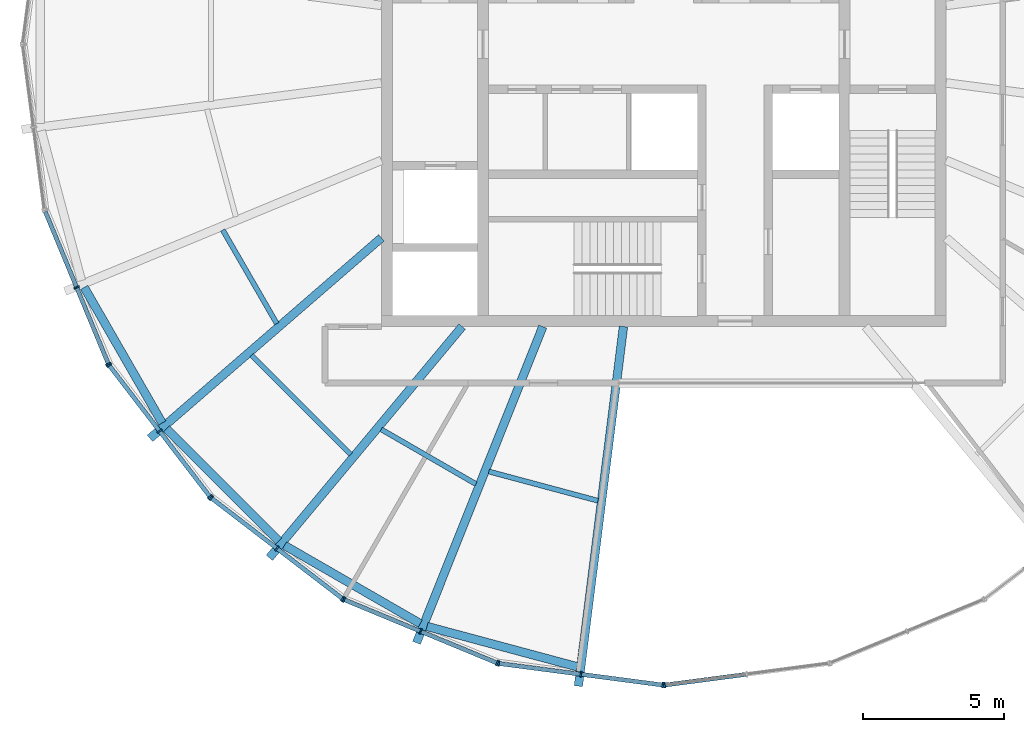
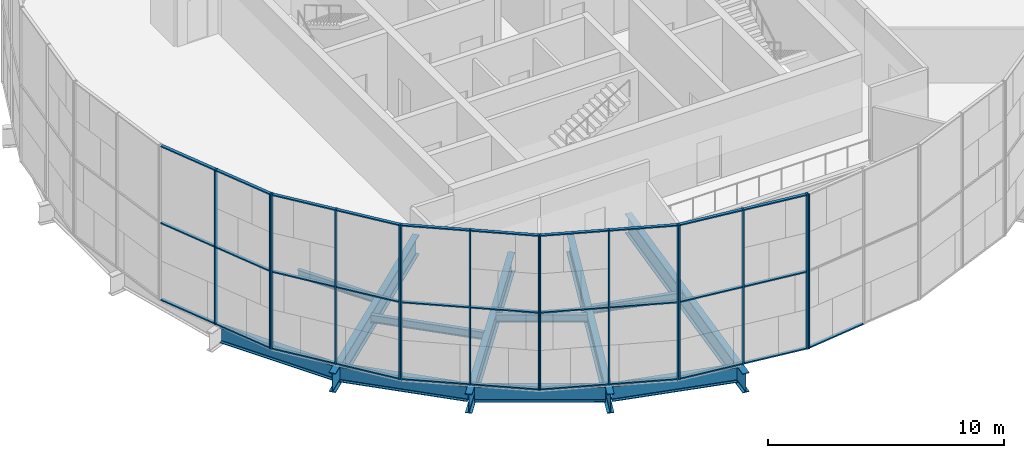
# One storey, part 1 of 19: 46 members, 12 beams, 6 elements without a shape of their own.
"""IFC4 building model written with IfcOpenShell, lengths in metres."""

from ifc_helpers import new_model, si_unit, direction, frame, origin, origin_2d, place, context, subcontext, project, spatial, rectangle, i_section, extrude, material, material_profile, profile_set, type_object, element, aggregate, save


model = new_model("IFC4")

# Units and contexts
model_context = context("Model", 3, precision=1e-05, world=origin(), true_north=direction((0.0, 1.0)))
body_context = subcontext(model_context, "Body", "Model", "MODEL_VIEW")
ifc_project = project(units=[si_unit("LENGTHUNIT", "METRE"), si_unit("AREAUNIT", "SQUARE_METRE"), si_unit("VOLUMEUNIT", "CUBIC_METRE"), si_unit("PLANEANGLEUNIT", "RADIAN"), si_unit("MASSUNIT", "GRAM", prefix="KILO")], contexts=[model_context])

# Site, building, storey
site_placement = place(None, origin())
site = spatial("IfcSite", under=ifc_project, at=site_placement, CompositionType="ELEMENT")
building_placement = place(site_placement, origin())
building = spatial("IfcBuilding", under=site, at=building_placement, Name="Golbaran Civic Tower", CompositionType="ELEMENT")
storey_placement = place(building_placement, frame((0.0, 0.0, 240.0)))
storey = spatial("IfcBuildingStorey", under=building, at=storey_placement, Name="L58", CompositionType="ELEMENT", Elevation=240.0)

# Beams
ifc_material_1 = material(Name="Steel S355", Category="steel")
ifc_material_profile_1 = material_profile(ifc_material_1, i_section(OverallWidth=0.300048828125, OverallDepth=0.800048828125, WebThickness=0.017578125, FlangeThickness=0.032958984375, FilletRadius=0.030029296875, at=origin_2d()), Name="HEB 800")
ifc_profile_set_1 = profile_set([ifc_material_profile_1], Name="Steel S355")
beam_type_1 = type_object("IfcBeamType", Name="EDGE BEAM HEB 800", PredefinedType="BEAM", material=ifc_profile_set_1)
beam_1_placement = place(storey_placement, frame((-20.525390625, -8.6123046875, -0.60009765625), z_axis=(0.498624327536, -0.866818193158, 0.0), x_axis=(0.866818193158, 0.498624327536, 0.0)))
element("IfcBeam", 1, at=beam_1_placement, inside=storey, type_object=beam_type_1, Name="Edge beam 202.43 L58", PredefinedType="BEAM", context=body_context, shape_type="SweptSolid", body=[
    extrude(i_section(OverallWidth=0.300048828125, OverallDepth=0.800048828125, WebThickness=0.017578125, FlangeThickness=0.032958984375, FilletRadius=0.030029296875, at=origin_2d()), origin(), (0.0, 0.0, 1.0), 5.53857421875),
])
beam_2_placement = place(storey_placement, frame((-17.60546875, -13.620361328125, -0.60009765625), z_axis=(0.706758752811, -0.707454638352, 0.0), x_axis=(0.707454638352, 0.706758752811, 0.0)))
element("IfcBeam", 2, at=beam_2_placement, inside=storey, type_object=beam_type_1, Name="Edge beam 217.57 L58", PredefinedType="BEAM", context=body_context, shape_type="SweptSolid", body=[
    extrude(i_section(OverallWidth=0.300048828125, OverallDepth=0.800048828125, WebThickness=0.017578125, FlangeThickness=0.032958984375, FilletRadius=0.030029296875, at=origin_2d()), origin(), (0.0, 0.0, 1.0), 5.61328125),
])
beam_3_placement = place(storey_placement, frame((-13.431640625, -17.749755859375, -0.60009765625), z_axis=(0.866378969457, -0.499387105642, 0.0), x_axis=(0.499387105642, 0.866378969457, 0.0)))
element("IfcBeam", 3, at=beam_3_placement, inside=storey, type_object=beam_type_1, Name="Edge beam 232.43 L58", PredefinedType="BEAM", context=body_context, shape_type="SweptSolid", body=[
    extrude(i_section(OverallWidth=0.300048828125, OverallDepth=0.800048828125, WebThickness=0.017578125, FlangeThickness=0.032958984375, FilletRadius=0.030029296875, at=origin_2d()), origin(), (0.0, 0.0, 1.0), 5.546875),
])
beam_4_placement = place(storey_placement, frame((-8.3857421875, -20.619140625, -0.60009765625), z_axis=(0.965791107787, -0.259321299009, 0.0), x_axis=(0.259321299009, 0.965791107787, 0.0)))
element("IfcBeam", 4, at=beam_4_placement, inside=storey, type_object=beam_type_1, Name="Edge beam 247.57 L58", PredefinedType="BEAM", context=body_context, shape_type="SweptSolid", body=[
    extrude(i_section(OverallWidth=0.300048828125, OverallDepth=0.800048828125, WebThickness=0.017578125, FlangeThickness=0.032958984375, FilletRadius=0.030029296875, at=origin_2d()), origin(), (0.0, 0.0, 1.0), 5.504638671875),
])
ifc_material_profile_2 = material_profile(ifc_material_1, i_section(OverallWidth=0.179931640625, OverallDepth=0.39990234375, WebThickness=0.008544921875, FlangeThickness=0.013427734375, FilletRadius=0.02099609375, at=origin_2d()), Name="IPE 400")
ifc_profile_set_2 = profile_set([ifc_material_profile_2], Name="Steel S355")
beam_type_2 = type_object("IfcBeamType", Name="FLOOR INFILL BEAM IPE 400", PredefinedType="BEAM", material=ifc_profile_set_2)
beam_5_placement = place(storey_placement, frame((-15.61865234375, -6.5810546875, -0.39990234375), z_axis=(0.500015088172, -0.866016692449, 0.0), x_axis=(0.866016692449, 0.500015088172, 0.0)))
element("IfcBeam", 5, at=beam_5_placement, inside=storey, type_object=beam_type_2, Name="Infill beam 210.00 L58", PredefinedType="BEAM", context=body_context, shape_type="SweptSolid", body=[
    extrude(i_section(OverallWidth=0.179931640625, OverallDepth=0.39990234375, WebThickness=0.008544921875, FlangeThickness=0.013427734375, FilletRadius=0.02099609375, at=origin_2d()), origin(), (0.0, 0.0, 1.0), 3.82763671875),
])
beam_6_placement = place(storey_placement, frame((-14.59912109375, -11.014892578125, -0.39990234375), z_axis=(0.70713134758, -0.70708221394, 0.0), x_axis=(0.70708221394, 0.70713134758, 0.0)))
element("IfcBeam", 6, at=beam_6_placement, inside=storey, type_object=beam_type_2, Name="Infill beam 225.00 L58", PredefinedType="BEAM", context=body_context, shape_type="SweptSolid", body=[
    extrude(i_section(OverallWidth=0.179931640625, OverallDepth=0.39990234375, WebThickness=0.008544921875, FlangeThickness=0.013427734375, FilletRadius=0.02099609375, at=origin_2d()), origin(), (0.0, 0.0, 1.0), 4.968994140625),
])
beam_7_placement = place(storey_placement, frame((-10.007080078125, -13.64013671875, -0.39990234375), z_axis=(0.866019745978, -0.500009799479, 0.0), x_axis=(0.500009799479, 0.866019745978, 0.0)))
element("IfcBeam", 7, at=beam_7_placement, inside=storey, type_object=beam_type_2, Name="Infill beam 240.00 L58", PredefinedType="BEAM", context=body_context, shape_type="SweptSolid", body=[
    extrude(i_section(OverallWidth=0.179931640625, OverallDepth=0.39990234375, WebThickness=0.008544921875, FlangeThickness=0.013427734375, FilletRadius=0.02099609375, at=origin_2d()), origin(), (0.0, 0.0, 1.0), 3.87353515625),
])
beam_8_placement = place(storey_placement, frame((-6.195068359375, -15.1328125, -0.39990234375), z_axis=(0.965929247855, -0.258806275308, 0.0), x_axis=(0.258806275308, 0.965929247855, 0.0)))
element("IfcBeam", 8, at=beam_8_placement, inside=storey, type_object=beam_type_2, Name="Infill beam 255.00 L58", PredefinedType="BEAM", context=body_context, shape_type="SweptSolid", body=[
    extrude(i_section(OverallWidth=0.179931640625, OverallDepth=0.39990234375, WebThickness=0.008544921875, FlangeThickness=0.013427734375, FilletRadius=0.02099609375, at=origin_2d()), origin(), (0.0, 0.0, 1.0), 3.998779296875),
])

# Curtain wall, members
ifc_material_2 = material(Name="Aluminium and glass", Category="aluminium")
curtain_wall_type = type_object("IfcCurtainWallType", Name="INNER SKIN CURTAIN WALL EXECUTIVE", PredefinedType="NOTDEFINED", material=ifc_material_2)
curtain_wall_1_placement = place(storey_placement, origin())
curtain_wall_1 = element("IfcCurtainWall", 9, at=curtain_wall_1_placement, inside=storey, type_object=curtain_wall_type, Name="Inner skin L58 facet 14 CW2", ObjectType="INNER SKIN", PredefinedType="USERDEFINED")
ifc_material_3 = material(Name="Aluminium", Category="aluminium")
ifc_material_profile_3 = material_profile(ifc_material_3, rectangle(XDim=0.199951171875, YDim=0.06005859375, at=origin_2d()), Name="INNER SKIN CURTAIN WALL EXECUTIVE MULLION")
ifc_profile_set_3 = profile_set([ifc_material_profile_3], Name="Aluminium")
member_type_1 = type_object("IfcMemberType", Name="INNER SKIN CURTAIN WALL EXECUTIVE MULLION", PredefinedType="MULLION", material=ifc_profile_set_3)
member_1_placement = place(storey_placement, frame((-20.792724609375, -8.612548828125, 0.0), z_axis=(0.0, 0.0, 1.0), x_axis=(0.923879532498, 0.382683432397, 0.0)))
member_1 = element("IfcMember", 10, at=member_1_placement, type_object=member_type_1, Name="CW2 mullion 2", PredefinedType="MULLION", context=body_context, shape_type="SweptSolid", body=[
    extrude(rectangle(XDim=0.199951171875, YDim=0.06005859375, at=origin_2d()), origin(), (0.0, 0.0, 1.0), 8.0),
])
member_2_placement = place(storey_placement, frame((-19.670166015625, -11.322265625, 0.0), z_axis=(0.0, 0.0, 1.0), x_axis=(0.923879532498, 0.382683432397, 0.0)))
member_2 = element("IfcMember", 11, at=member_2_placement, type_object=member_type_1, Name="CW2 mullion 3", PredefinedType="MULLION", context=body_context, shape_type="SweptSolid", body=[
    extrude(rectangle(XDim=0.199951171875, YDim=0.06005859375, at=origin_2d()), origin(), (0.0, 0.0, 1.0), 8.0),
])

curtain_wall_2_placement = place(storey_placement, origin())
curtain_wall_2 = element("IfcCurtainWall", 12, at=curtain_wall_2_placement, inside=storey, type_object=curtain_wall_type, Name="Inner skin L58 facet 15 CW2", ObjectType="INNER SKIN", PredefinedType="USERDEFINED")
member_3_placement = place(storey_placement, frame((-19.640625, -11.373779296875, 0.0), z_axis=(0.0, 0.0, 1.0), x_axis=(0.793353340291, 0.608761429009, 0.0)))
member_3 = element("IfcMember", 13, at=member_3_placement, type_object=member_type_1, Name="CW2 mullion 1", PredefinedType="MULLION", context=body_context, shape_type="SweptSolid", body=[
    extrude(rectangle(XDim=0.199951171875, YDim=0.06005859375, at=origin_2d()), origin(), (0.0, 0.0, 1.0), 8.0),
])
member_4_placement = place(storey_placement, frame((-17.85498046875, -13.70068359375, 0.0), z_axis=(0.0, 0.0, 1.0), x_axis=(0.793353340291, 0.608761429009, 0.0)))
member_4 = element("IfcMember", 14, at=member_4_placement, type_object=member_type_1, Name="CW2 mullion 2", PredefinedType="MULLION", context=body_context, shape_type="SweptSolid", body=[
    extrude(rectangle(XDim=0.199951171875, YDim=0.06005859375, at=origin_2d()), origin(), (0.0, 0.0, 1.0), 8.0),
])
member_5_placement = place(storey_placement, frame((-16.069580078125, -16.027587890625, 0.0), z_axis=(0.0, 0.0, 1.0), x_axis=(0.793353340291, 0.608761429009, 0.0)))
member_5 = element("IfcMember", 15, at=member_5_placement, type_object=member_type_1, Name="CW2 mullion 3", PredefinedType="MULLION", context=body_context, shape_type="SweptSolid", body=[
    extrude(rectangle(XDim=0.199951171875, YDim=0.06005859375, at=origin_2d()), origin(), (0.0, 0.0, 1.0), 8.0),
])

curtain_wall_3_placement = place(storey_placement, origin())
curtain_wall_3 = element("IfcCurtainWall", 16, at=curtain_wall_3_placement, inside=storey, type_object=curtain_wall_type, Name="Inner skin L58 facet 16 CW2", ObjectType="INNER SKIN", PredefinedType="USERDEFINED")
member_6_placement = place(storey_placement, frame((-16.027587890625, -16.069580078125, 0.0), z_axis=(0.0, 0.0, 1.0), x_axis=(0.608761429009, 0.793353340291, 0.0)))
member_6 = element("IfcMember", 17, at=member_6_placement, type_object=member_type_1, Name="CW2 mullion 1", PredefinedType="MULLION", context=body_context, shape_type="SweptSolid", body=[
    extrude(rectangle(XDim=0.199951171875, YDim=0.06005859375, at=origin_2d()), origin(), (0.0, 0.0, 1.0), 8.0),
])
member_7_placement = place(storey_placement, frame((-13.70068359375, -17.85498046875, 0.0), z_axis=(0.0, 0.0, 1.0), x_axis=(0.608761429009, 0.793353340291, 0.0)))
member_7 = element("IfcMember", 18, at=member_7_placement, type_object=member_type_1, Name="CW2 mullion 2", PredefinedType="MULLION", context=body_context, shape_type="SweptSolid", body=[
    extrude(rectangle(XDim=0.199951171875, YDim=0.06005859375, at=origin_2d()), origin(), (0.0, 0.0, 1.0), 8.0),
])
member_8_placement = place(storey_placement, frame((-11.373779296875, -19.640625, 0.0), z_axis=(0.0, 0.0, 1.0), x_axis=(0.608761429009, 0.793353340291, 0.0)))
member_8 = element("IfcMember", 19, at=member_8_placement, type_object=member_type_1, Name="CW2 mullion 3", PredefinedType="MULLION", context=body_context, shape_type="SweptSolid", body=[
    extrude(rectangle(XDim=0.199951171875, YDim=0.06005859375, at=origin_2d()), origin(), (0.0, 0.0, 1.0), 8.0),
])

curtain_wall_4_placement = place(storey_placement, origin())
curtain_wall_4 = element("IfcCurtainWall", 20, at=curtain_wall_4_placement, inside=storey, type_object=curtain_wall_type, Name="Inner skin L58 facet 17 CW2", ObjectType="INNER SKIN", PredefinedType="USERDEFINED")
member_9_placement = place(storey_placement, frame((-11.322265625, -19.670166015625, 0.0), z_axis=(0.0, 0.0, 1.0), x_axis=(0.382683432397, 0.923879532498, 0.0)))
member_9 = element("IfcMember", 21, at=member_9_placement, type_object=member_type_1, Name="CW2 mullion 1", PredefinedType="MULLION", context=body_context, shape_type="SweptSolid", body=[
    extrude(rectangle(XDim=0.199951171875, YDim=0.06005859375, at=origin_2d()), origin(), (0.0, 0.0, 1.0), 8.0),
])
member_10_placement = place(storey_placement, frame((-8.612548828125, -20.792724609375, 0.0), z_axis=(0.0, 0.0, 1.0), x_axis=(0.382683432397, 0.923879532498, 0.0)))
member_10 = element("IfcMember", 22, at=member_10_placement, type_object=member_type_1, Name="CW2 mullion 2", PredefinedType="MULLION", context=body_context, shape_type="SweptSolid", body=[
    extrude(rectangle(XDim=0.199951171875, YDim=0.06005859375, at=origin_2d()), origin(), (0.0, 0.0, 1.0), 8.0),
])
member_11_placement = place(storey_placement, frame((-5.90283203125, -21.9150390625, 0.0), z_axis=(0.0, 0.0, 1.0), x_axis=(0.382683432397, 0.923879532498, 0.0)))
member_11 = element("IfcMember", 23, at=member_11_placement, type_object=member_type_1, Name="CW2 mullion 3", PredefinedType="MULLION", context=body_context, shape_type="SweptSolid", body=[
    extrude(rectangle(XDim=0.199951171875, YDim=0.06005859375, at=origin_2d()), origin(), (0.0, 0.0, 1.0), 8.0),
])

curtain_wall_5_placement = place(storey_placement, origin())
curtain_wall_5 = element("IfcCurtainWall", 24, at=curtain_wall_5_placement, inside=storey, type_object=curtain_wall_type, Name="Inner skin L58 facet 18 CW2", ObjectType="INNER SKIN", PredefinedType="USERDEFINED")
member_12_placement = place(storey_placement, frame((-5.845458984375, -21.930419921875, 0.0), z_axis=(0.0, 0.0, 1.0), x_axis=(0.130526192168, 0.991444861381, 0.0)))
member_12 = element("IfcMember", 25, at=member_12_placement, type_object=member_type_1, Name="CW2 mullion 1", PredefinedType="MULLION", context=body_context, shape_type="SweptSolid", body=[
    extrude(rectangle(XDim=0.199951171875, YDim=0.06005859375, at=origin_2d()), origin(), (0.0, 0.0, 1.0), 8.0),
])
member_13_placement = place(storey_placement, frame((-2.9375, -22.313232421875, 0.0), z_axis=(0.0, 0.0, 1.0), x_axis=(0.130526192168, 0.991444861381, 0.0)))
member_13 = element("IfcMember", 26, at=member_13_placement, type_object=member_type_1, Name="CW2 mullion 2", PredefinedType="MULLION", context=body_context, shape_type="SweptSolid", body=[
    extrude(rectangle(XDim=0.199951171875, YDim=0.06005859375, at=origin_2d()), origin(), (0.0, 0.0, 1.0), 8.0),
])
member_14_placement = place(storey_placement, frame((-0.02978515625, -22.696044921875, 0.0), z_axis=(0.0, 0.0, 1.0), x_axis=(0.130526192168, 0.991444861381, 0.0)))
member_14 = element("IfcMember", 27, at=member_14_placement, type_object=member_type_1, Name="CW2 mullion 3", PredefinedType="MULLION", context=body_context, shape_type="SweptSolid", body=[
    extrude(rectangle(XDim=0.199951171875, YDim=0.06005859375, at=origin_2d()), origin(), (0.0, 0.0, 1.0), 8.0),
])

# Curtain wall, member
curtain_wall_6_placement = place(storey_placement, origin())
curtain_wall_6 = element("IfcCurtainWall", 28, at=curtain_wall_6_placement, inside=storey, type_object=curtain_wall_type, Name="Inner skin L58 facet 19 CW2", ObjectType="INNER SKIN", PredefinedType="USERDEFINED")
member_15_placement = place(storey_placement, frame((0.02978515625, -22.696044921875, 0.0), z_axis=(0.0, 0.0, 1.0), x_axis=(-0.130526192168, 0.991444861381, 0.0)))
member_15 = element("IfcMember", 29, at=member_15_placement, type_object=member_type_1, Name="CW2 mullion 1", PredefinedType="MULLION", context=body_context, shape_type="SweptSolid", body=[
    extrude(rectangle(XDim=0.199951171875, YDim=0.06005859375, at=origin_2d()), origin(), (0.0, 0.0, 1.0), 8.0),
])

# Member
ifc_material_profile_4 = material_profile(ifc_material_3, rectangle(XDim=0.14990234375, YDim=0.06005859375, at=origin_2d()), Name="INNER SKIN CURTAIN WALL EXECUTIVE TRANSOM")
ifc_profile_set_4 = profile_set([ifc_material_profile_4], Name="Aluminium")
member_type_2 = type_object("IfcMemberType", Name="INNER SKIN CURTAIN WALL EXECUTIVE TRANSOM", PredefinedType="USERDEFINED", material=ifc_profile_set_4)
member_16_placement = place(storey_placement, frame((-21.903564453125, -5.9306640625, 0.030029296875), z_axis=(0.382659506909, -0.923889442397, 0.0), x_axis=(0.923889442397, 0.382659506909, 0.0)))
member_16 = element("IfcMember", 30, at=member_16_placement, type_object=member_type_2, Name="CW2 transom 1.1", ObjectType="TRANSOM", PredefinedType="USERDEFINED", context=body_context, shape_type="SweptSolid", body=[
    extrude(rectangle(XDim=0.14990234375, YDim=0.06005859375, at=origin_2d()), origin(), (0.0, 0.0, 1.0), 2.873046875),
])

member_17_placement = place(storey_placement, frame((-21.903564453125, -5.9306640625, 4.0), z_axis=(0.382659506909, -0.923889442397, 0.0), x_axis=(0.923889442397, 0.382659506909, 0.0)))
member_17 = element("IfcMember", 31, at=member_17_placement, type_object=member_type_2, Name="CW2 transom 1.2", ObjectType="TRANSOM", PredefinedType="USERDEFINED", context=body_context, shape_type="SweptSolid", body=[
    extrude(rectangle(XDim=0.14990234375, YDim=0.06005859375, at=origin_2d()), origin(), (0.0, 0.0, 1.0), 2.873046875),
])

member_18_placement = place(storey_placement, frame((-21.903564453125, -5.9306640625, 7.969970703125), z_axis=(0.382659506909, -0.923889442397, 0.0), x_axis=(0.923889442397, 0.382659506909, 0.0)))
member_18 = element("IfcMember", 32, at=member_18_placement, type_object=member_type_2, Name="CW2 transom 1.3", ObjectType="TRANSOM", PredefinedType="USERDEFINED", context=body_context, shape_type="SweptSolid", body=[
    extrude(rectangle(XDim=0.14990234375, YDim=0.06005859375, at=origin_2d()), origin(), (0.0, 0.0, 1.0), 2.873046875),
])

member_19_placement = place(storey_placement, frame((-20.78125, -8.640380859375, 0.030029296875), z_axis=(0.382732038864, -0.923859397542, 0.0), x_axis=(0.923859397542, 0.382732038864, 0.0)))
member_19 = element("IfcMember", 33, at=member_19_placement, type_object=member_type_2, Name="CW2 transom 2.1", ObjectType="TRANSOM", PredefinedType="USERDEFINED", context=body_context, shape_type="SweptSolid", body=[
    extrude(rectangle(XDim=0.14990234375, YDim=0.06005859375, at=origin_2d()), origin(), (0.0, 0.0, 1.0), 2.873046875),
])

member_20_placement = place(storey_placement, frame((-20.78125, -8.640380859375, 4.0), z_axis=(0.382732038864, -0.923859397542, 0.0), x_axis=(0.923859397542, 0.382732038864, 0.0)))
member_20 = element("IfcMember", 34, at=member_20_placement, type_object=member_type_2, Name="CW2 transom 2.2", ObjectType="TRANSOM", PredefinedType="USERDEFINED", context=body_context, shape_type="SweptSolid", body=[
    extrude(rectangle(XDim=0.14990234375, YDim=0.06005859375, at=origin_2d()), origin(), (0.0, 0.0, 1.0), 2.873046875),
])

member_21_placement = place(storey_placement, frame((-20.78125, -8.640380859375, 7.969970703125), z_axis=(0.382732038864, -0.923859397542, 0.0), x_axis=(0.923859397542, 0.382732038864, 0.0)))
member_21 = element("IfcMember", 35, at=member_21_placement, type_object=member_type_2, Name="CW2 transom 2.3", ObjectType="TRANSOM", PredefinedType="USERDEFINED", context=body_context, shape_type="SweptSolid", body=[
    extrude(rectangle(XDim=0.14990234375, YDim=0.06005859375, at=origin_2d()), origin(), (0.0, 0.0, 1.0), 2.873046875),
])

aggregate(curtain_wall_1, [member_1, member_2, member_16, member_17, member_18, member_19, member_20, member_21])

member_22_placement = place(storey_placement, frame((-19.622314453125, -11.397705078125, 0.030029296875), z_axis=(0.608815053767, -0.793312189687, 0.0), x_axis=(0.793312189687, 0.608815053767, 0.0)))
member_22 = element("IfcMember", 36, at=member_22_placement, type_object=member_type_2, Name="CW2 transom 1.1", ObjectType="TRANSOM", PredefinedType="USERDEFINED", context=body_context, shape_type="SweptSolid", body=[
    extrude(rectangle(XDim=0.14990234375, YDim=0.06005859375, at=origin_2d()), origin(), (0.0, 0.0, 1.0), 2.872802734375),
])

member_23_placement = place(storey_placement, frame((-19.622314453125, -11.397705078125, 4.0), z_axis=(0.608815053767, -0.793312189687, 0.0), x_axis=(0.793312189687, 0.608815053767, 0.0)))
member_23 = element("IfcMember", 37, at=member_23_placement, type_object=member_type_2, Name="CW2 transom 1.2", ObjectType="TRANSOM", PredefinedType="USERDEFINED", context=body_context, shape_type="SweptSolid", body=[
    extrude(rectangle(XDim=0.14990234375, YDim=0.06005859375, at=origin_2d()), origin(), (0.0, 0.0, 1.0), 2.872802734375),
])

member_24_placement = place(storey_placement, frame((-19.622314453125, -11.397705078125, 7.969970703125), z_axis=(0.608815053767, -0.793312189687, 0.0), x_axis=(0.793312189687, 0.608815053767, 0.0)))
member_24 = element("IfcMember", 38, at=member_24_placement, type_object=member_type_2, Name="CW2 transom 1.3", ObjectType="TRANSOM", PredefinedType="USERDEFINED", context=body_context, shape_type="SweptSolid", body=[
    extrude(rectangle(XDim=0.14990234375, YDim=0.06005859375, at=origin_2d()), origin(), (0.0, 0.0, 1.0), 2.872802734375),
])

member_25_placement = place(storey_placement, frame((-17.836669921875, -13.724365234375, 0.030029296875), z_axis=(0.608720522734, -0.793384727104, 0.0), x_axis=(0.793384727104, 0.608720522734, 0.0)))
member_25 = element("IfcMember", 39, at=member_25_placement, type_object=member_type_2, Name="CW2 transom 2.1", ObjectType="TRANSOM", PredefinedType="USERDEFINED", context=body_context, shape_type="SweptSolid", body=[
    extrude(rectangle(XDim=0.14990234375, YDim=0.06005859375, at=origin_2d()), origin(), (0.0, 0.0, 1.0), 2.872802734375),
])

member_26_placement = place(storey_placement, frame((-17.836669921875, -13.724365234375, 4.0), z_axis=(0.608720522734, -0.793384727104, 0.0), x_axis=(0.793384727104, 0.608720522734, 0.0)))
member_26 = element("IfcMember", 40, at=member_26_placement, type_object=member_type_2, Name="CW2 transom 2.2", ObjectType="TRANSOM", PredefinedType="USERDEFINED", context=body_context, shape_type="SweptSolid", body=[
    extrude(rectangle(XDim=0.14990234375, YDim=0.06005859375, at=origin_2d()), origin(), (0.0, 0.0, 1.0), 2.872802734375),
])

member_27_placement = place(storey_placement, frame((-17.836669921875, -13.724365234375, 7.969970703125), z_axis=(0.608720522734, -0.793384727104, 0.0), x_axis=(0.793384727104, 0.608720522734, 0.0)))
member_27 = element("IfcMember", 41, at=member_27_placement, type_object=member_type_2, Name="CW2 transom 2.3", ObjectType="TRANSOM", PredefinedType="USERDEFINED", context=body_context, shape_type="SweptSolid", body=[
    extrude(rectangle(XDim=0.14990234375, YDim=0.06005859375, at=origin_2d()), origin(), (0.0, 0.0, 1.0), 2.872802734375),
])

aggregate(curtain_wall_2, [member_3, member_4, member_5, member_22, member_23, member_24, member_25, member_26, member_27])

member_28_placement = place(storey_placement, frame((-16.003662109375, -16.087890625, 0.030029296875), z_axis=(0.793384727104, -0.608720522734, 0.0), x_axis=(0.608720522734, 0.793384727104, 0.0)))
member_28 = element("IfcMember", 42, at=member_28_placement, type_object=member_type_2, Name="CW2 transom 1.1", ObjectType="TRANSOM", PredefinedType="USERDEFINED", context=body_context, shape_type="SweptSolid", body=[
    extrude(rectangle(XDim=0.14990234375, YDim=0.06005859375, at=origin_2d()), origin(), (0.0, 0.0, 1.0), 2.872802734375),
])

member_29_placement = place(storey_placement, frame((-16.003662109375, -16.087890625, 4.0), z_axis=(0.793384727104, -0.608720522734, 0.0), x_axis=(0.608720522734, 0.793384727104, 0.0)))
member_29 = element("IfcMember", 43, at=member_29_placement, type_object=member_type_2, Name="CW2 transom 1.2", ObjectType="TRANSOM", PredefinedType="USERDEFINED", context=body_context, shape_type="SweptSolid", body=[
    extrude(rectangle(XDim=0.14990234375, YDim=0.06005859375, at=origin_2d()), origin(), (0.0, 0.0, 1.0), 2.872802734375),
])

member_30_placement = place(storey_placement, frame((-16.003662109375, -16.087890625, 7.969970703125), z_axis=(0.793384727104, -0.608720522734, 0.0), x_axis=(0.608720522734, 0.793384727104, 0.0)))
member_30 = element("IfcMember", 44, at=member_30_placement, type_object=member_type_2, Name="CW2 transom 1.3", ObjectType="TRANSOM", PredefinedType="USERDEFINED", context=body_context, shape_type="SweptSolid", body=[
    extrude(rectangle(XDim=0.14990234375, YDim=0.06005859375, at=origin_2d()), origin(), (0.0, 0.0, 1.0), 2.872802734375),
])

member_31_placement = place(storey_placement, frame((-13.6767578125, -17.873291015625, 0.030029296875), z_axis=(0.793312189687, -0.608815053767, 0.0), x_axis=(0.608815053767, 0.793312189687, 0.0)))
member_31 = element("IfcMember", 45, at=member_31_placement, type_object=member_type_2, Name="CW2 transom 2.1", ObjectType="TRANSOM", PredefinedType="USERDEFINED", context=body_context, shape_type="SweptSolid", body=[
    extrude(rectangle(XDim=0.14990234375, YDim=0.06005859375, at=origin_2d()), origin(), (0.0, 0.0, 1.0), 2.872802734375),
])

member_32_placement = place(storey_placement, frame((-13.6767578125, -17.873291015625, 4.0), z_axis=(0.793312189687, -0.608815053767, 0.0), x_axis=(0.608815053767, 0.793312189687, 0.0)))
member_32 = element("IfcMember", 46, at=member_32_placement, type_object=member_type_2, Name="CW2 transom 2.2", ObjectType="TRANSOM", PredefinedType="USERDEFINED", context=body_context, shape_type="SweptSolid", body=[
    extrude(rectangle(XDim=0.14990234375, YDim=0.06005859375, at=origin_2d()), origin(), (0.0, 0.0, 1.0), 2.872802734375),
])

member_33_placement = place(storey_placement, frame((-13.6767578125, -17.873291015625, 7.969970703125), z_axis=(0.793312189687, -0.608815053767, 0.0), x_axis=(0.608815053767, 0.793312189687, 0.0)))
member_33 = element("IfcMember", 47, at=member_33_placement, type_object=member_type_2, Name="CW2 transom 2.3", ObjectType="TRANSOM", PredefinedType="USERDEFINED", context=body_context, shape_type="SweptSolid", body=[
    extrude(rectangle(XDim=0.14990234375, YDim=0.06005859375, at=origin_2d()), origin(), (0.0, 0.0, 1.0), 2.872802734375),
])

aggregate(curtain_wall_3, [member_6, member_7, member_8, member_28, member_29, member_30, member_31, member_32, member_33])

member_34_placement = place(storey_placement, frame((-11.294677734375, -19.681640625, 0.030029296875), z_axis=(0.923859397542, -0.382732038864, 0.0), x_axis=(0.382732038864, 0.923859397542, 0.0)))
member_34 = element("IfcMember", 48, at=member_34_placement, type_object=member_type_2, Name="CW2 transom 1.1", ObjectType="TRANSOM", PredefinedType="USERDEFINED", context=body_context, shape_type="SweptSolid", body=[
    extrude(rectangle(XDim=0.14990234375, YDim=0.06005859375, at=origin_2d()), origin(), (0.0, 0.0, 1.0), 2.873046875),
])

member_35_placement = place(storey_placement, frame((-11.294677734375, -19.681640625, 4.0), z_axis=(0.923859397542, -0.382732038864, 0.0), x_axis=(0.382732038864, 0.923859397542, 0.0)))
member_35 = element("IfcMember", 49, at=member_35_placement, type_object=member_type_2, Name="CW2 transom 1.2", ObjectType="TRANSOM", PredefinedType="USERDEFINED", context=body_context, shape_type="SweptSolid", body=[
    extrude(rectangle(XDim=0.14990234375, YDim=0.06005859375, at=origin_2d()), origin(), (0.0, 0.0, 1.0), 2.873046875),
])

member_36_placement = place(storey_placement, frame((-11.294677734375, -19.681640625, 7.969970703125), z_axis=(0.923859397542, -0.382732038864, 0.0), x_axis=(0.382732038864, 0.923859397542, 0.0)))
member_36 = element("IfcMember", 50, at=member_36_placement, type_object=member_type_2, Name="CW2 transom 1.3", ObjectType="TRANSOM", PredefinedType="USERDEFINED", context=body_context, shape_type="SweptSolid", body=[
    extrude(rectangle(XDim=0.14990234375, YDim=0.06005859375, at=origin_2d()), origin(), (0.0, 0.0, 1.0), 2.873046875),
])

member_37_placement = place(storey_placement, frame((-8.5849609375, -20.80419921875, 0.030029296875), z_axis=(0.923889442397, -0.382659506909, 0.0), x_axis=(0.382659506909, 0.923889442397, 0.0)))
member_37 = element("IfcMember", 51, at=member_37_placement, type_object=member_type_2, Name="CW2 transom 2.1", ObjectType="TRANSOM", PredefinedType="USERDEFINED", context=body_context, shape_type="SweptSolid", body=[
    extrude(rectangle(XDim=0.14990234375, YDim=0.06005859375, at=origin_2d()), origin(), (0.0, 0.0, 1.0), 2.873046875),
])

member_38_placement = place(storey_placement, frame((-8.5849609375, -20.80419921875, 4.0), z_axis=(0.923889442397, -0.382659506909, 0.0), x_axis=(0.382659506909, 0.923889442397, 0.0)))
member_38 = element("IfcMember", 52, at=member_38_placement, type_object=member_type_2, Name="CW2 transom 2.2", ObjectType="TRANSOM", PredefinedType="USERDEFINED", context=body_context, shape_type="SweptSolid", body=[
    extrude(rectangle(XDim=0.14990234375, YDim=0.06005859375, at=origin_2d()), origin(), (0.0, 0.0, 1.0), 2.873046875),
])

member_39_placement = place(storey_placement, frame((-8.5849609375, -20.80419921875, 7.969970703125), z_axis=(0.923889442397, -0.382659506909, 0.0), x_axis=(0.382659506909, 0.923889442397, 0.0)))
member_39 = element("IfcMember", 53, at=member_39_placement, type_object=member_type_2, Name="CW2 transom 2.3", ObjectType="TRANSOM", PredefinedType="USERDEFINED", context=body_context, shape_type="SweptSolid", body=[
    extrude(rectangle(XDim=0.14990234375, YDim=0.06005859375, at=origin_2d()), origin(), (0.0, 0.0, 1.0), 2.873046875),
])

aggregate(curtain_wall_4, [member_9, member_10, member_11, member_34, member_35, member_36, member_37, member_38, member_39])

member_40_placement = place(storey_placement, frame((-5.815673828125, -21.934326171875, 0.030029296875), z_axis=(0.991444747987, -0.130527053476, 0.0), x_axis=(0.130527053476, 0.991444747987, 0.0)))
member_40 = element("IfcMember", 54, at=member_40_placement, type_object=member_type_2, Name="CW2 transom 1.1", ObjectType="TRANSOM", PredefinedType="USERDEFINED", context=body_context, shape_type="SweptSolid", body=[
    extrude(rectangle(XDim=0.14990234375, YDim=0.06005859375, at=origin_2d()), origin(), (0.0, 0.0, 1.0), 2.873046875),
])

member_41_placement = place(storey_placement, frame((-5.815673828125, -21.934326171875, 4.0), z_axis=(0.991444747987, -0.130527053476, 0.0), x_axis=(0.130527053476, 0.991444747987, 0.0)))
member_41 = element("IfcMember", 55, at=member_41_placement, type_object=member_type_2, Name="CW2 transom 1.2", ObjectType="TRANSOM", PredefinedType="USERDEFINED", context=body_context, shape_type="SweptSolid", body=[
    extrude(rectangle(XDim=0.14990234375, YDim=0.06005859375, at=origin_2d()), origin(), (0.0, 0.0, 1.0), 2.873046875),
])

member_42_placement = place(storey_placement, frame((-5.815673828125, -21.934326171875, 7.969970703125), z_axis=(0.991444747987, -0.130527053476, 0.0), x_axis=(0.130527053476, 0.991444747987, 0.0)))
member_42 = element("IfcMember", 56, at=member_42_placement, type_object=member_type_2, Name="CW2 transom 1.3", ObjectType="TRANSOM", PredefinedType="USERDEFINED", context=body_context, shape_type="SweptSolid", body=[
    extrude(rectangle(XDim=0.14990234375, YDim=0.06005859375, at=origin_2d()), origin(), (0.0, 0.0, 1.0), 2.873046875),
])

member_43_placement = place(storey_placement, frame((-2.907958984375, -22.317138671875, 0.030029296875), z_axis=(0.991444747987, -0.130527053476, 0.0), x_axis=(0.130527053476, 0.991444747987, 0.0)))
member_43 = element("IfcMember", 57, at=member_43_placement, type_object=member_type_2, Name="CW2 transom 2.1", ObjectType="TRANSOM", PredefinedType="USERDEFINED", context=body_context, shape_type="SweptSolid", body=[
    extrude(rectangle(XDim=0.14990234375, YDim=0.06005859375, at=origin_2d()), origin(), (0.0, 0.0, 1.0), 2.873046875),
])

member_44_placement = place(storey_placement, frame((-2.907958984375, -22.317138671875, 4.0), z_axis=(0.991444747987, -0.130527053476, 0.0), x_axis=(0.130527053476, 0.991444747987, 0.0)))
member_44 = element("IfcMember", 58, at=member_44_placement, type_object=member_type_2, Name="CW2 transom 2.2", ObjectType="TRANSOM", PredefinedType="USERDEFINED", context=body_context, shape_type="SweptSolid", body=[
    extrude(rectangle(XDim=0.14990234375, YDim=0.06005859375, at=origin_2d()), origin(), (0.0, 0.0, 1.0), 2.873046875),
])

member_45_placement = place(storey_placement, frame((-2.907958984375, -22.317138671875, 7.969970703125), z_axis=(0.991444747987, -0.130527053476, 0.0), x_axis=(0.130527053476, 0.991444747987, 0.0)))
member_45 = element("IfcMember", 59, at=member_45_placement, type_object=member_type_2, Name="CW2 transom 2.3", ObjectType="TRANSOM", PredefinedType="USERDEFINED", context=body_context, shape_type="SweptSolid", body=[
    extrude(rectangle(XDim=0.14990234375, YDim=0.06005859375, at=origin_2d()), origin(), (0.0, 0.0, 1.0), 2.873046875),
])

aggregate(curtain_wall_5, [member_12, member_13, member_14, member_40, member_41, member_42, member_43, member_44, member_45])

member_46_placement = place(storey_placement, frame((0.0595703125, -22.692138671875, 0.030029296875), z_axis=(0.991444747987, 0.130527053476, 0.0), x_axis=(-0.130527053476, 0.991444747987, 0.0)))
member_46 = element("IfcMember", 60, at=member_46_placement, type_object=member_type_2, Name="CW2 transom 1.1", ObjectType="TRANSOM", PredefinedType="USERDEFINED", context=body_context, shape_type="SweptSolid", body=[
    extrude(rectangle(XDim=0.14990234375, YDim=0.06005859375, at=origin_2d()), origin(), (0.0, 0.0, 1.0), 2.873046875),
])

aggregate(curtain_wall_6, [member_15, member_46])

# Beams
ifc_material_profile_5 = material_profile(ifc_material_1, i_section(OverallWidth=0.300048828125, OverallDepth=1.0, WebThickness=0.01904296875, FlangeThickness=0.035888671875, FilletRadius=0.030029296875, at=origin_2d()), Name="HEB 1000")
ifc_profile_set_5 = profile_set([ifc_material_profile_5], Name="Steel S355")
beam_type_3 = type_object("IfcBeamType", Name="RADIAL FLOOR BEAM HEB 1000", PredefinedType="BEAM", material=ifc_profile_set_5)
beam_9_placement = place(storey_placement, frame((-10.0, -6.857177734375, -0.7099609375), z_axis=(-0.755712851544, -0.654903111927, 0.0), x_axis=(0.654903111927, -0.755712851544, 0.0)))
element("IfcBeam", 61, at=beam_9_placement, inside=storey, type_object=beam_type_3, Name="Radial beam 217.57 L58", PredefinedType="BEAM", context=body_context, shape_type="SweptSolid", body=[
    extrude(i_section(OverallWidth=0.300048828125, OverallDepth=1.0, WebThickness=0.01904296875, FlangeThickness=0.035888671875, FilletRadius=0.030029296875, at=origin_2d()), origin(), (0.0, 0.0, 1.0), 10.8447265625),
])
beam_10_placement = place(storey_placement, frame((-7.142822265625, -10.0, -0.7099609375), z_axis=(-0.640184399664, -0.768221279597, 0.0), x_axis=(0.768221279597, -0.640184399664, 0.0)))
element("IfcBeam", 62, at=beam_10_placement, inside=storey, type_object=beam_type_3, Name="Radial beam 232.43 L58", PredefinedType="BEAM", context=body_context, shape_type="SweptSolid", body=[
    extrude(i_section(OverallWidth=0.300048828125, OverallDepth=1.0, WebThickness=0.01904296875, FlangeThickness=0.035888671875, FilletRadius=0.030029296875, at=origin_2d()), origin(), (0.0, 0.0, 1.0), 10.660888671875),
])
beam_11_placement = place(storey_placement, frame((-4.28564453125, -10.0, -0.7099609375), z_axis=(-0.370832028329, -0.928699955188, 0.0), x_axis=(0.928699955188, -0.370832028329, 0.0)))
element("IfcBeam", 63, at=beam_11_placement, inside=storey, type_object=beam_type_3, Name="Radial beam 247.57 L58", PredefinedType="BEAM", context=body_context, shape_type="SweptSolid", body=[
    extrude(i_section(OverallWidth=0.300048828125, OverallDepth=1.0, WebThickness=0.01904296875, FlangeThickness=0.035888671875, FilletRadius=0.030029296875, at=origin_2d()), origin(), (0.0, 0.0, 1.0), 12.05712890625),
])
beam_12_placement = place(storey_placement, frame((-1.428466796875, -10.0, -0.7099609375), z_axis=(-0.124362482678, -0.992236853227, 0.0), x_axis=(0.992236853227, -0.124362482678, 0.0)))
element("IfcBeam", 64, at=beam_12_placement, inside=storey, type_object=beam_type_3, Name="Radial beam 262.43 L58", PredefinedType="BEAM", context=body_context, shape_type="SweptSolid", body=[
    extrude(i_section(OverallWidth=0.300048828125, OverallDepth=1.0, WebThickness=0.01904296875, FlangeThickness=0.035888671875, FilletRadius=0.030029296875, at=origin_2d()), origin(), (0.0, 0.0, 1.0), 12.8349609375),
])

save(model, "model.ifc")
